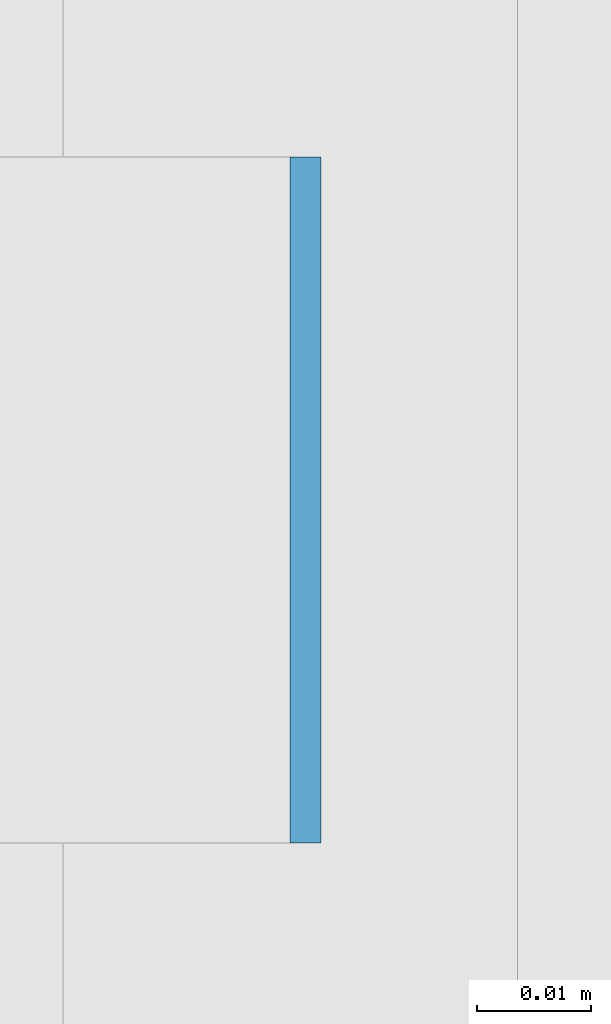
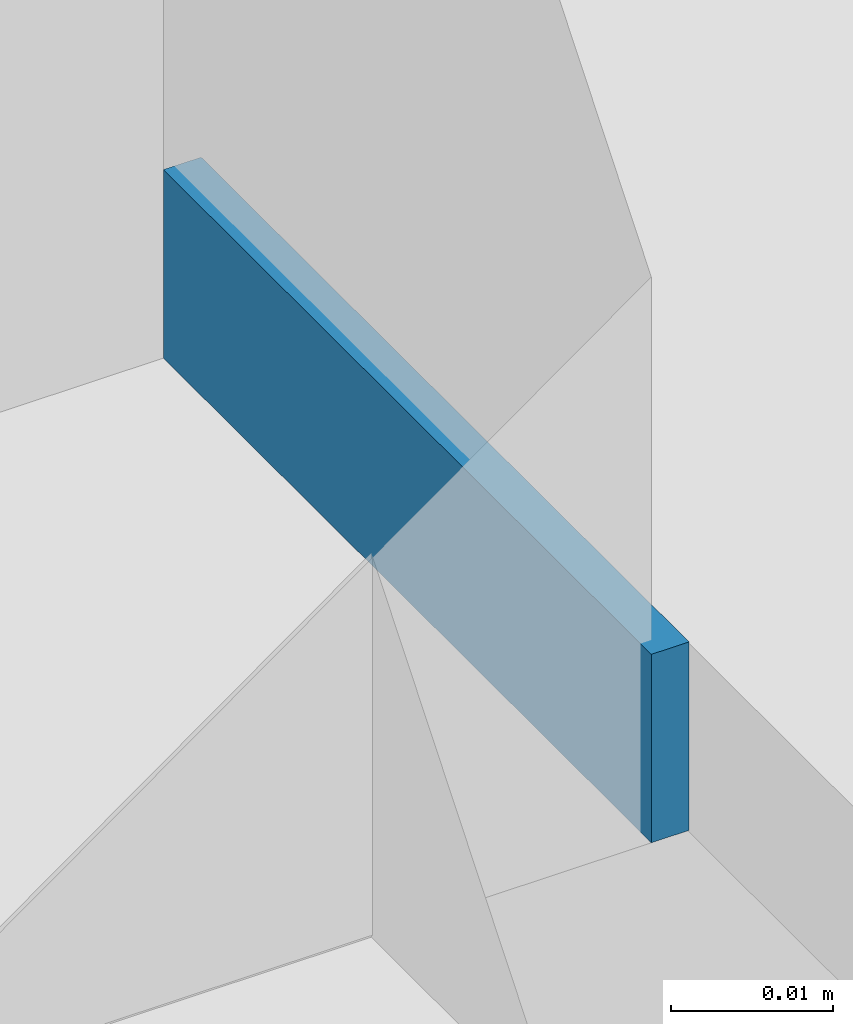
# One storey, part 278 of 646: 1 discrete accessory.
"""IFC4 building model written with IfcOpenShell, lengths in metres."""

from ifc_helpers import new_model, si_unit, direction, frame, origin, origin_2d, place, context, subcontext, project, spatial, rectangle, extrude, material, type_object, element, save


model = new_model("IFC4")

# Units and contexts
model_context = context("Model", 3, precision=1e-05, world=origin(), true_north=direction((0.0, 1.0)))
body_context = subcontext(model_context, "Body", "Model", "MODEL_VIEW")
ifc_project = project(units=[si_unit("LENGTHUNIT", "METRE"), si_unit("AREAUNIT", "SQUARE_METRE"), si_unit("VOLUMEUNIT", "CUBIC_METRE"), si_unit("PLANEANGLEUNIT", "RADIAN"), si_unit("MASSUNIT", "GRAM", prefix="KILO")], contexts=[model_context])

# Site, building, storey
site_placement = place(None, origin())
site = spatial("IfcSite", under=ifc_project, at=site_placement, CompositionType="ELEMENT")
building_placement = place(site_placement, origin())
building = spatial("IfcBuilding", under=site, at=building_placement, Name="Silverbay Arena", CompositionType="ELEMENT")
storey_placement = place(building_placement, frame((0.0, 0.0, 33.5)))
storey = spatial("IfcBuildingStorey", under=building, at=storey_placement, Name="L05", CompositionType="ELEMENT", Elevation=33.5)

# Discrete accessory
ifc_material = material(Name="Steel S355", Category="steel")
discrete_accessory_type = type_object("IfcDiscreteAccessoryType", Name="Steel bracket plate", PredefinedType="BRACKET", material=ifc_material)
discrete_accessory_placement = place(storey_placement, frame((53.871337890625, 50.142822265625, 4.0), z_axis=(0.0, 0.0, 1.0), x_axis=(1.0, 0.0, 0.0)))
element("IfcDiscreteAccessory", 1, at=discrete_accessory_placement, inside=storey, type_object=discrete_accessory_type, Name="Curtain wall packing plate", PredefinedType="BRACKET", context=body_context, shape_type="SweptSolid", body=[
    extrude(rectangle(XDim=0.002685546875, YDim=0.06005859375, at=origin_2d()), origin(), (0.0, 0.0, 1.0), 0.01416015625),
])

save(model, "model.ifc")
